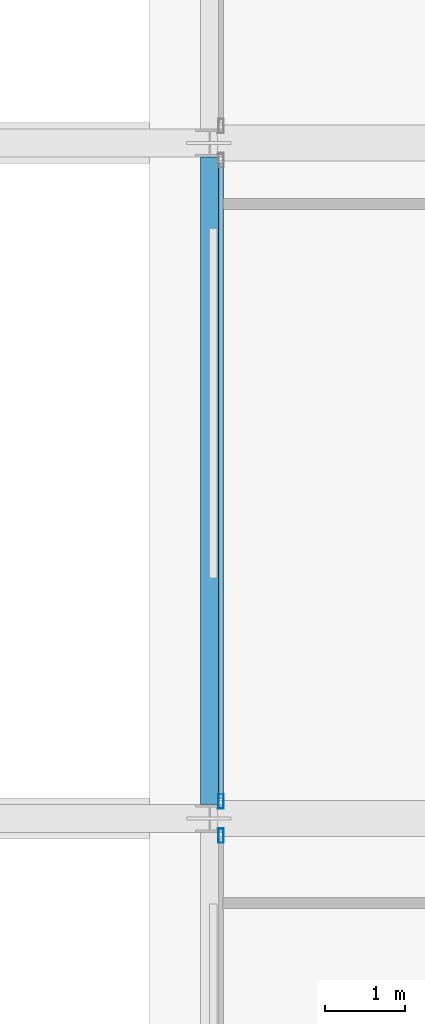
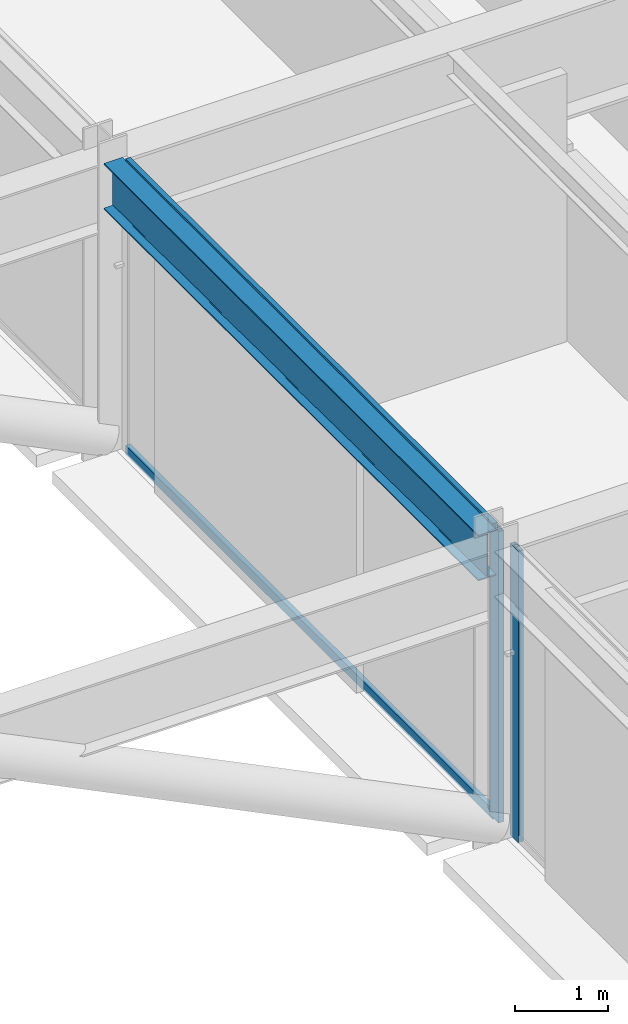
# One storey, part 8 of 30: 4 members, 1 beam, 2 elements without a shape of their own.
"""IFC4 building model written with IfcOpenShell, lengths in metres."""

from ifc_helpers import new_model, si_unit, direction, frame, origin, origin_2d, place, context, subcontext, project, spatial, hollow_rectangle, i_section, extrude, material, layer, layer_set, material_profile, profile_set, type_object, element, aggregate, save


model = new_model("IFC4")

# Units and contexts
model_context = context("Model", 3, precision=1e-05, world=origin(), true_north=direction((0.0, 1.0)))
body_context = subcontext(model_context, "Body", "Model", "MODEL_VIEW")
ifc_project = project(units=[si_unit("LENGTHUNIT", "METRE"), si_unit("AREAUNIT", "SQUARE_METRE"), si_unit("VOLUMEUNIT", "CUBIC_METRE"), si_unit("PLANEANGLEUNIT", "RADIAN"), si_unit("MASSUNIT", "GRAM", prefix="KILO")], contexts=[model_context])

# Site, building, storey
site_placement = place(None, origin())
site = spatial("IfcSite", under=ifc_project, at=site_placement, CompositionType="ELEMENT")
building_placement = place(site_placement, origin())
building = spatial("IfcBuilding", under=site, at=building_placement, Name="Nerrivon Quay Data Exchange", CompositionType="ELEMENT")
storey_placement = place(building_placement, frame((0.0, 0.0, 167.300048828125)))
storey = spatial("IfcBuildingStorey", under=building, at=storey_placement, Name="L39", CompositionType="ELEMENT", Elevation=167.300048828125)

# Beam
ifc_material_1 = material(Name="Steel Grade 350", Category="steel")
ifc_material_profile_1 = material_profile(ifc_material_1, i_section(OverallWidth=0.22802734375, OverallDepth=0.60205078125, WebThickness=0.010498046875, FlangeThickness=0.014892578125, FilletRadius=0.013916015625, at=origin_2d()), Name="610UB101")
ifc_profile_set_1 = profile_set([ifc_material_profile_1], Name="Steel Grade 350")
beam_type = type_object("IfcBeamType", Name="BM-G2-610UB101", PredefinedType="BEAM", material=ifc_profile_set_1)
beam_placement = place(storey_placement, frame((0.0, 16.97509765625, 3.52392578125), z_axis=(0.0, 1.0, 0.0), x_axis=(-1.0, 0.0, 0.0)))
element("IfcBeam", 1, at=beam_placement, inside=storey, type_object=beam_type, Name="L39 NS Girder X=0.0 (16.8..25.2)", PredefinedType="BEAM", context=body_context, shape_type="SweptSolid", body=[
    extrude(i_section(OverallWidth=0.22802734375, OverallDepth=0.60205078125, WebThickness=0.010498046875, FlangeThickness=0.014892578125, FilletRadius=0.013916015625, at=origin_2d()), origin(), (0.0, 0.0, 1.0), 8.0498046875),
])

# Curtain wall, member
ifc_material_2 = material(Name="Anodised aluminium 6063-T6", Category="aluminium")
ifc_layer = layer(ifc_material_2, 0.195068359375)
ifc_layer_set = layer_set([ifc_layer], Name="Anodised aluminium 6063-T6")
curtain_wall_type = type_object("IfcCurtainWallType", Name="CW-SYS-06", PredefinedType="NOTDEFINED", material=ifc_layer_set)
curtain_wall_1_placement = place(storey_placement, origin())
curtain_wall_1 = element("IfcCurtainWall", 2, at=curtain_wall_1_placement, inside=storey, type_object=curtain_wall_type, Name="L39 Unitised Curtain Wall 12", PredefinedType="NOTDEFINED")
ifc_material_profile_2 = material_profile(ifc_material_2, hollow_rectangle(XDim=0.06494140625, YDim=0.179931640625, WallThickness=0.00341796875, at=origin_2d()), Name="ALU-MULL-180x65")
ifc_profile_set_2 = profile_set([ifc_material_profile_2], Name="Anodised aluminium 6063-T6")
member_type_1 = type_object("IfcMemberType", Name="CWM-180x65", PredefinedType="MULLION", material=ifc_profile_set_2)
member_1_placement = place(storey_placement, frame((0.139892578125, 16.58740234375, 0.0), z_axis=(0.0, 0.0, 1.0), x_axis=(-1.0, 0.0, 0.0)))
member_1 = element("IfcMember", 3, at=member_1_placement, type_object=member_type_1, Name="CW06 mullion 2", PredefinedType="MULLION", context=body_context, shape_type="SweptSolid", body=[
    extrude(hollow_rectangle(XDim=0.06494140625, YDim=0.179931640625, WallThickness=0.00341796875, at=origin_2d()), origin(), (0.0, 0.0, 1.0), 3.824951171875),
])
aggregate(curtain_wall_1, [member_1])

# Curtain wall, members
curtain_wall_2_placement = place(storey_placement, origin())
curtain_wall_2 = element("IfcCurtainWall", 4, at=curtain_wall_2_placement, inside=storey, type_object=curtain_wall_type, Name="L39 Unitised Curtain Wall 13", PredefinedType="NOTDEFINED")
member_2_placement = place(storey_placement, frame((0.139892578125, 17.012451171875, 0.0), z_axis=(0.0, 0.0, 1.0), x_axis=(-1.0, 0.0, 0.0)))
member_2 = element("IfcMember", 5, at=member_2_placement, type_object=member_type_1, Name="CW06 mullion 1", PredefinedType="MULLION", context=body_context, shape_type="SweptSolid", body=[
    extrude(hollow_rectangle(XDim=0.06494140625, YDim=0.179931640625, WallThickness=0.00341796875, at=origin_2d()), origin(), (0.0, 0.0, 1.0), 3.824951171875),
])
ifc_material_profile_3 = material_profile(ifc_material_2, hollow_rectangle(XDim=0.06005859375, YDim=0.1201171875, WallThickness=0.003173828125, at=origin_2d()), Name="ALU-TRAN-120x60")
ifc_profile_set_3 = profile_set([ifc_material_profile_3], Name="Anodised aluminium 6063-T6")
member_type_2 = type_object("IfcMemberType", Name="CWT-120x60", PredefinedType="USERDEFINED", material=ifc_profile_set_3)
member_3_placement = place(storey_placement, frame((0.139892578125, 17.050048828125, 0.032470703125), z_axis=(0.0, 1.0, 0.0), x_axis=(-1.0, 0.0, 0.0)))
member_3 = element("IfcMember", 6, at=member_3_placement, type_object=member_type_2, Name="CW06 transom 1.1", ObjectType="TRANSOM", PredefinedType="USERDEFINED", context=body_context, shape_type="SweptSolid", body=[
    extrude(hollow_rectangle(XDim=0.06005859375, YDim=0.1201171875, WallThickness=0.003173828125, at=origin_2d()), origin(), (0.0, 0.0, 1.0), 7.89990234375),
])
member_4_placement = place(storey_placement, frame((0.139892578125, 17.050048828125, 3.79248046875), z_axis=(0.0, 1.0, 0.0), x_axis=(-1.0, 0.0, 0.0)))
member_4 = element("IfcMember", 7, at=member_4_placement, type_object=member_type_2, Name="CW06 transom 1.2", ObjectType="TRANSOM", PredefinedType="USERDEFINED", context=body_context, shape_type="SweptSolid", body=[
    extrude(hollow_rectangle(XDim=0.06005859375, YDim=0.1201171875, WallThickness=0.003173828125, at=origin_2d()), origin(), (0.0, 0.0, 1.0), 7.89990234375),
])
aggregate(curtain_wall_2, [member_2, member_3, member_4])

save(model, "model.ifc")
